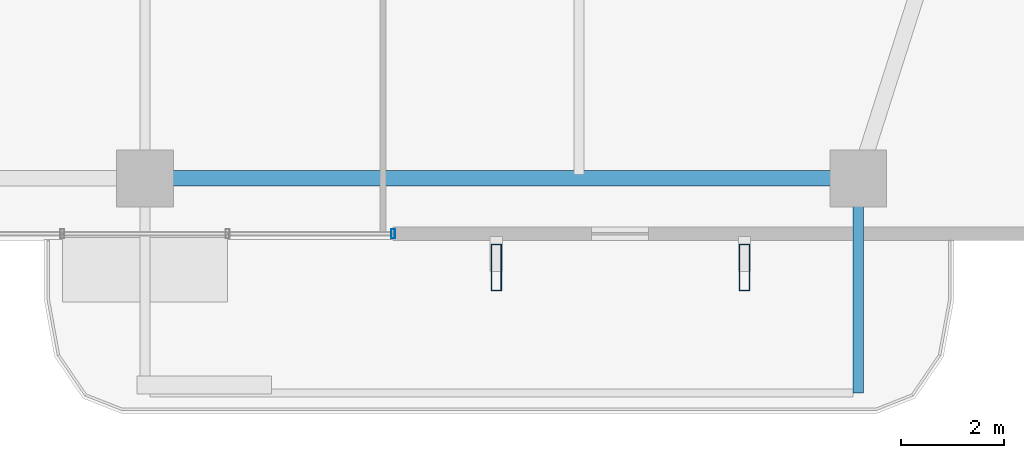
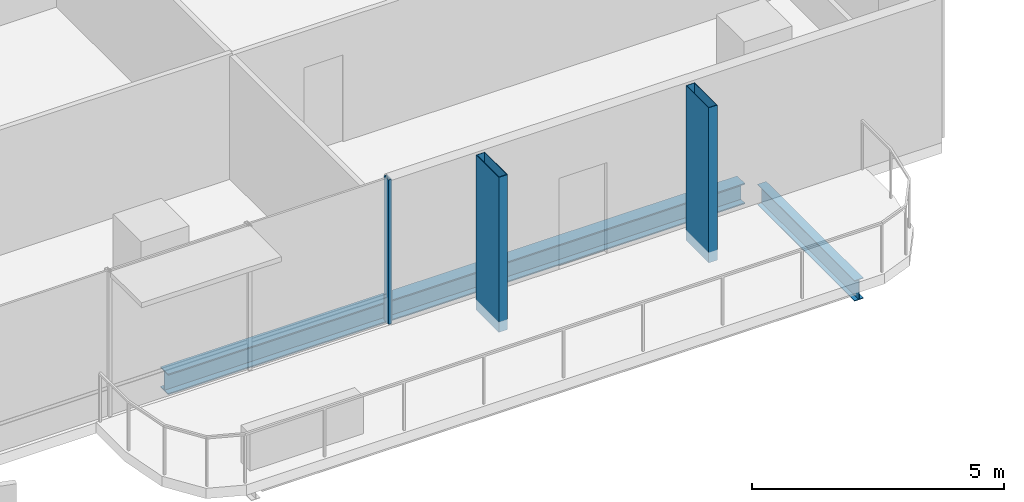
# One storey, part 8 of 25: 3 members, 2 beams, 1 element without a shape of its own.
"""IFC4 building model written with IfcOpenShell, lengths in metres."""

from ifc_helpers import new_model, si_unit, direction, frame, origin, origin_2d, place, context, subcontext, project, spatial, hollow_rectangle, i_section, extrude, material, layer, layer_set, material_profile, profile_set, type_object, element, aggregate, save


model = new_model("IFC4")

# Units and contexts
model_context = context("Model", 3, precision=1e-05, world=origin(), true_north=direction((0.0, 1.0)))
body_context = subcontext(model_context, "Body", "Model", "MODEL_VIEW")
ifc_project = project(units=[si_unit("LENGTHUNIT", "METRE"), si_unit("AREAUNIT", "SQUARE_METRE"), si_unit("VOLUMEUNIT", "CUBIC_METRE"), si_unit("PLANEANGLEUNIT", "RADIAN"), si_unit("MASSUNIT", "GRAM", prefix="KILO")], contexts=[model_context])

# Site, building, storey
site_placement = place(None, origin())
site = spatial("IfcSite", under=ifc_project, at=site_placement, CompositionType="ELEMENT")
building_placement = place(site_placement, origin())
building = spatial("IfcBuilding", under=site, at=building_placement, Name="Belovzor Exchange Tower", CompositionType="ELEMENT")
storey_placement = place(building_placement, frame((0.0, 0.0, 187.050048828125)))
storey = spatial("IfcBuildingStorey", under=building, at=storey_placement, Name="L46", CompositionType="ELEMENT", Elevation=187.050048828125)

# Beam
ifc_material_1 = material(Name="Steel S355", Category="steel")
ifc_material_profile_1 = material_profile(ifc_material_1, i_section(OverallWidth=0.199951171875, OverallDepth=0.5, WebThickness=0.01025390625, FlangeThickness=0.01611328125, at=origin_2d()))
ifc_profile_set_1 = profile_set([ifc_material_profile_1], Name="Steel S355")
beam_type_1 = type_object("IfcBeamType", Name="Planted Balcony Cantilever Beam IPE 500", PredefinedType="BEAM", material=ifc_profile_set_1)
beam_1_placement = place(storey_placement, frame((42.60009765625, 5.39697265625, -0.505126953125), z_axis=(0.0, -1.0, 0.0), x_axis=(1.0, 0.0, 0.0)))
element("IfcBeam", 1, at=beam_1_placement, inside=storey, type_object=beam_type_1, Name="BC-500 Planted Balcony Cantilever Beam IPE 500", PredefinedType="BEAM", context=body_context, shape_type="SweptSolid", body=[
    extrude(i_section(OverallWidth=0.199951171875, OverallDepth=0.5, WebThickness=0.01025390625, FlangeThickness=0.01611328125, at=origin_2d()), origin(), (0.0, 0.0, 1.0), 3.849853515625),
])

# Members
ifc_material_2 = material(Name="Extruded Architectural Terracotta on Steel S355 Carrier", Category="masonry")
ifc_material_profile_2 = material_profile(ifc_material_2, hollow_rectangle(XDim=0.199951171875, YDim=0.89990234375, WallThickness=0.011962890625, at=origin_2d()))
ifc_profile_set_2 = profile_set([ifc_material_profile_2], Name="Extruded Architectural Terracotta on Steel S355 Carrier")
member_type_1 = type_object("IfcMemberType", Name="Sweeping Terracotta Baguette Fin Assembly 1250", PredefinedType="USERDEFINED", material=ifc_profile_set_2)
for number, where, z_axis, x_axis, name in (
    (2, (35.60009765625, 3.97509765625, -0.255126953125), (0.0, 0.0, 1.0), (1.0, 0.0, 0.0), "FIN-TC125 Terracotta Facade Fin L46 S3"),
    (3, (40.39990234375, 3.97509765625, -0.255126953125), (0.0, 0.0, 1.0), (1.0, 0.0, 0.0), "FIN-TC125 Terracotta Facade Fin L46 S4"),
):
    element("IfcMember", number, at=place(storey_placement, frame(where, z_axis=z_axis, x_axis=x_axis)), inside=storey, type_object=member_type_1, Name=name, ObjectType="FIN", PredefinedType="USERDEFINED", context=body_context, shape_type="SweptSolid", body=[
        extrude(hollow_rectangle(XDim=0.199951171875, YDim=0.89990234375, WallThickness=0.011962890625, at=origin_2d()), origin(), (0.0, 0.0, 1.0), 3.75),
    ])

# Curtain wall, member
ifc_material_3 = material(Name="Anodised Aluminium Framing", Category="aluminium")
ifc_layer = layer(ifc_material_3, 0.179931640625)
ifc_layer_set = layer_set([ifc_layer], Name="Anodised Aluminium Framing")
curtain_wall_type = type_object("IfcCurtainWallType", Name="Recessed Loggia Low-Iron Triple-Glazed Curtain Wall", PredefinedType="NOTDEFINED", material=ifc_layer_set)
curtain_wall_placement = place(storey_placement, origin())
curtain_wall = element("IfcCurtainWall", 4, at=curtain_wall_placement, inside=storey, type_object=curtain_wall_type, Name="CW3 Recessed Loggia Low-Iron Triple-Glazed Curtain Wall L46", PredefinedType="NOTDEFINED")
ifc_material_4 = material(Name="Steel S355", Category="steel")
ifc_material_profile_3 = material_profile(ifc_material_4, hollow_rectangle(XDim=0.074951171875, YDim=0.179931640625, WallThickness=0.0048828125, at=origin_2d()))
ifc_profile_set_3 = profile_set([ifc_material_profile_3], Name="Steel S355")
member_type_2 = type_object("IfcMemberType", Name="Thermally Broken Curtain Wall Mullion 180x75", PredefinedType="MULLION", material=ifc_profile_set_3)
member_placement = place(storey_placement, frame((33.60009765625, 4.6298828125, 0.0), z_axis=(0.0, 0.0, 1.0), x_axis=(-1.0, 0.0, 0.0)))
member = element("IfcMember", 5, at=member_placement, type_object=member_type_2, Name="CW-M180 Curtain Wall Mullion 1", PredefinedType="MULLION", context=body_context, shape_type="SweptSolid", body=[
    extrude(hollow_rectangle(XDim=0.074951171875, YDim=0.179931640625, WallThickness=0.0048828125, at=origin_2d()), origin(), (0.0, 0.0, 1.0), 3.494873046875),
])
aggregate(curtain_wall, [member])

# Beam
ifc_material_5 = material(Name="Steel S355", Category="steel")
ifc_material_profile_4 = material_profile(ifc_material_5, i_section(OverallWidth=0.300048828125, OverallDepth=0.5, WebThickness=0.014404296875, FlangeThickness=0.028076171875, at=origin_2d()))
ifc_profile_set_4 = profile_set([ifc_material_profile_4], Name="Steel S355")
beam_type_2 = type_object("IfcBeamType", Name="Zone 3 Waist Primary Girder HEB 500", PredefinedType="BEAM", material=ifc_profile_set_4)
beam_2_placement = place(storey_placement, frame((29.10205078125, 5.699951171875, -0.505126953125), z_axis=(1.0, 0.0, 0.0), x_axis=(0.0, 1.0, 0.0)))
element("IfcBeam", 6, at=beam_2_placement, inside=storey, type_object=beam_type_2, Name="FG-Z3 Zone 3 Waist Primary Girder HEB 500", PredefinedType="BEAM", context=body_context, shape_type="SweptSolid", body=[
    extrude(i_section(OverallWidth=0.300048828125, OverallDepth=0.5, WebThickness=0.014404296875, FlangeThickness=0.028076171875, at=origin_2d()), origin(), (0.0, 0.0, 1.0), 13.195068359375),
])

save(model, "model.ifc")
